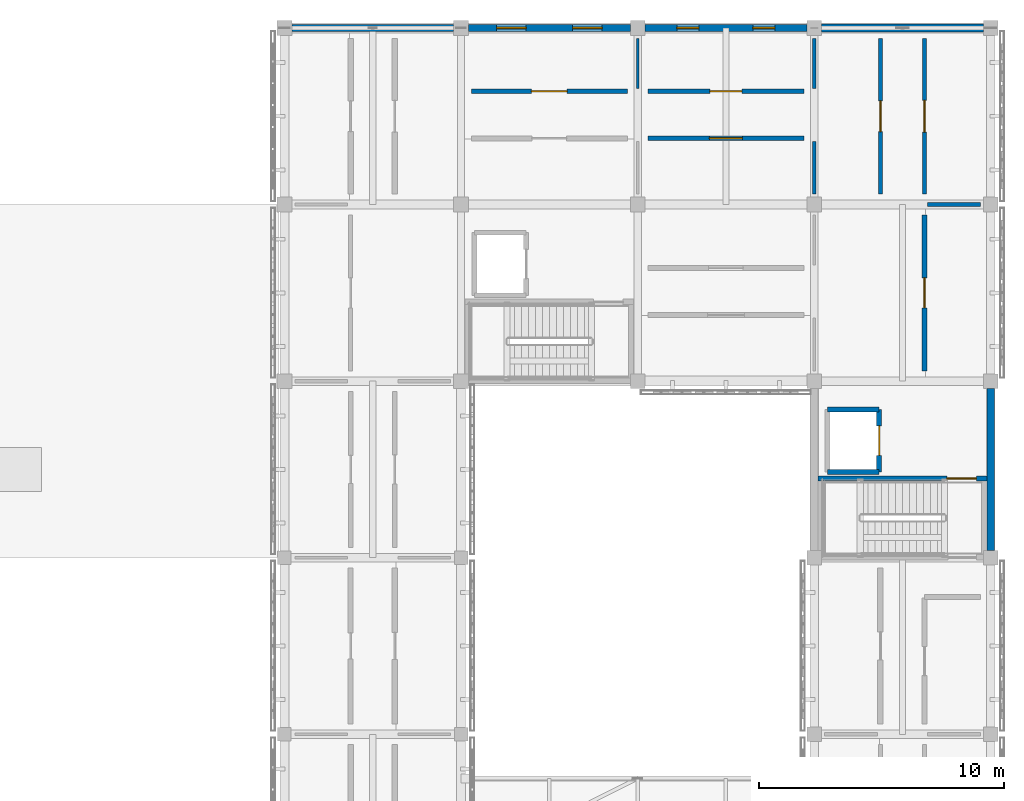
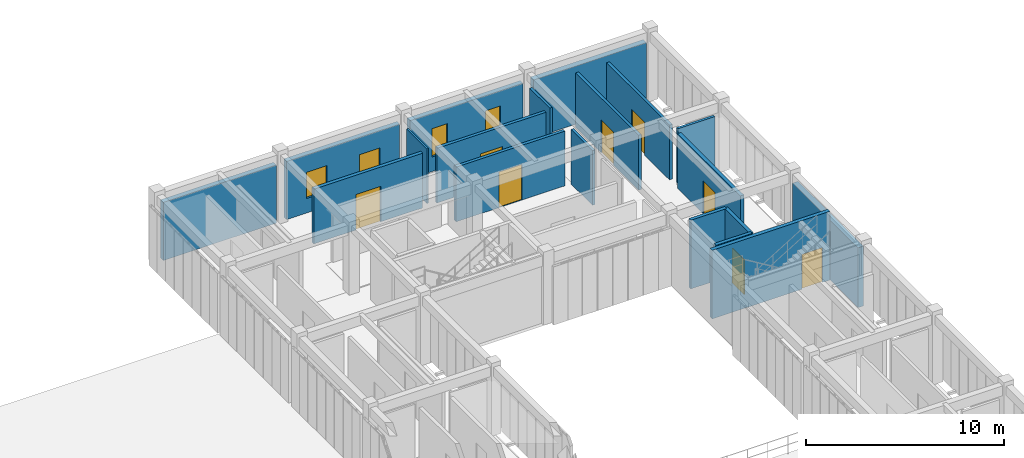
# One storey, part 81 of 91: 19 walls, 8 doors, 4 windows, 12 openings.
"""IFC4 building model written with IfcOpenShell, lengths in metres."""

from ifc_helpers import new_model, si_unit, direction, frame, frame_2d, origin, place, context, subcontext, project, spatial, rectangle, extrude, material, layer, layer_set, type_object, element, fill, save


model = new_model("IFC4")

# Units and contexts
model_context = context("Model", 3, precision=1e-05, world=origin(), true_north=direction((0.0, 1.0)))
body_context = subcontext(model_context, "Body", "Model", "MODEL_VIEW")
ifc_project = project(units=[si_unit("LENGTHUNIT", "METRE"), si_unit("AREAUNIT", "SQUARE_METRE"), si_unit("VOLUMEUNIT", "CUBIC_METRE"), si_unit("PLANEANGLEUNIT", "RADIAN"), si_unit("MASSUNIT", "GRAM", prefix="KILO")], contexts=[model_context])

# Site, building, storey
site_placement = place(None, origin())
site = spatial("IfcSite", under=ifc_project, at=site_placement, CompositionType="ELEMENT")
building_placement = place(site_placement, origin())
building = spatial("IfcBuilding", under=site, at=building_placement, Name="Aldebral Square Health Centre", CompositionType="ELEMENT")
storey_placement = place(building_placement, frame((0.0, 0.0, 9.0)))
storey = spatial("IfcBuildingStorey", under=building, at=storey_placement, Name="L02", CompositionType="ELEMENT", Elevation=9.0)

# Wall
ifc_material_1 = material(Name="Ochre mineral-rendered concrete C35/45 court wall", Category="concrete")
ifc_layer_1 = layer(ifc_material_1, 0.280029296875, Name="Ochre mineral-rendered concrete C35/45 court wall", Category="concrete")
ifc_layer_set_1 = layer_set([ifc_layer_1], Name="Ochre mineral-rendered concrete C35/45 court wall")
wall_type_1 = type_object("IfcWallType", Name="EW-OCH-280", PredefinedType="STANDARD", material=ifc_layer_set_1)
wall_1_placement = place(storey_placement, frame((143.699951171875, 115.199951171875, 0.0), z_axis=(0.0, 0.0, 1.0), x_axis=(-1.0, 0.0, 0.0)))
element("IfcWall", 1, at=wall_1_placement, inside=storey, type_object=wall_type_1, Name="L02 V5 exterior wall L02-V5-19-15-N", PredefinedType="STANDARD", context=body_context, shape_type="SweptSolid", body=[
    extrude(rectangle(XDim=6.599853515625, YDim=0.280029296875, at=frame_2d((3.2998046875, 0.0))), origin(), (0.0, 0.0, 1.0), 3.590087890625),
])

# Wall, openings, windows
wall_2_placement = place(storey_placement, frame((150.89990234375, 115.199951171875, 0.0), z_axis=(0.0, 0.0, 1.0), x_axis=(-1.0, 0.0, 0.0)))
wall_2 = element("IfcWall", 2, at=wall_2_placement, inside=storey, type_object=wall_type_1, Name="L02 V5 exterior wall L02-V5-20-15-N", PredefinedType="STANDARD", context=body_context, shape_type="SweptSolid", body=[
    extrude(rectangle(XDim=6.599853515625, YDim=0.280029296875, at=frame_2d((3.2998046875, 0.0))), origin(), (0.0, 0.0, 1.0), 3.590087890625),
])
opening_1_placement = place(wall_2_placement, frame((1.14990234375, 0.0, 0.89990234375)))
opening_1 = element("IfcOpeningElement", 3, at=opening_1_placement, cuts=wall_2, Name="Opening W30", PredefinedType="OPENING", context=body_context, shape_type="SweptSolid", body=[
    extrude(rectangle(XDim=1.199951171875, YDim=1.6201171875, at=frame_2d((0.60009765625, 0.81005859375))), frame((0.0, 0.14990234375, 0.0), z_axis=(0.0, -1.0, 0.0), x_axis=(1.0, 0.0, 0.0)), (0.0, 0.0, 1.0), 0.300048828125),
])
opening_2_placement = place(wall_2_placement, frame((4.25, 0.0, 0.89990234375)))
opening_2 = element("IfcOpeningElement", 4, at=opening_2_placement, cuts=wall_2, Name="Opening W30", PredefinedType="OPENING", context=body_context, shape_type="SweptSolid", body=[
    extrude(rectangle(XDim=1.199951171875, YDim=1.6201171875, at=frame_2d((0.60009765625, 0.81005859375))), frame((0.0, 0.14990234375, 0.0), z_axis=(0.0, -1.0, 0.0), x_axis=(1.0, 0.0, 0.0)), (0.0, 0.0, 1.0), 0.300048828125),
])
ifc_material_2 = material(Name="Thermally broken aluminium and low-E glass", Category="aluminium")
window_type_1 = type_object("IfcWindowType", Name="WIN-W30", PartitioningType="SINGLE_PANEL", PredefinedType="WINDOW", material=ifc_material_2)
window_1_placement = place(opening_1_placement, origin())
window_1 = element("IfcWindow", 5, at=window_1_placement, inside=storey, type_object=window_type_1, Name="L02 clinical window L02-V5-20-15-N.1", OverallHeight=1.6201171875, OverallWidth=1.199951171875, PartitioningType="SINGLE_PANEL", PredefinedType="WINDOW", context=body_context, shape_type="SweptSolid", body=[
    extrude(rectangle(XDim=1.199951171875, YDim=1.6201171875, at=frame_2d((0.60009765625, 0.81005859375))), frame((0.0, 0.030029296875, 0.0), z_axis=(0.0, -1.0, 0.0), x_axis=(1.0, 0.0, 0.0)), (0.0, 0.0, 1.0), 0.06005859375),
])
fill(opening_1, window_1)
window_2_placement = place(opening_2_placement, origin())
window_2 = element("IfcWindow", 6, at=window_2_placement, inside=storey, type_object=window_type_1, Name="L02 clinical window L02-V5-20-15-N.2", OverallHeight=1.6201171875, OverallWidth=1.199951171875, PartitioningType="SINGLE_PANEL", PredefinedType="WINDOW", context=body_context, shape_type="SweptSolid", body=[
    extrude(rectangle(XDim=1.199951171875, YDim=1.6201171875, at=frame_2d((0.60009765625, 0.81005859375))), frame((0.0, 0.030029296875, 0.0), z_axis=(0.0, -1.0, 0.0), x_axis=(1.0, 0.0, 0.0)), (0.0, 0.0, 1.0), 0.06005859375),
])
fill(opening_2, window_2)

wall_3_placement = place(storey_placement, frame((158.10009765625, 115.199951171875, 0.0), z_axis=(0.0, 0.0, 1.0), x_axis=(-1.0, 0.0, 0.0)))
wall_3 = element("IfcWall", 7, at=wall_3_placement, inside=storey, type_object=wall_type_1, Name="L02 V5 exterior wall L02-V5-21-15-N", PredefinedType="STANDARD", context=body_context, shape_type="SweptSolid", body=[
    extrude(rectangle(XDim=6.60009765625, YDim=0.280029296875, at=frame_2d((3.300048828125, 0.0))), origin(), (0.0, 0.0, 1.0), 3.590087890625),
])
opening_3_placement = place(wall_3_placement, frame((1.300048828125, 0.0, 0.89990234375)))
opening_3 = element("IfcOpeningElement", 8, at=opening_3_placement, cuts=wall_3, Name="Opening W37", PredefinedType="OPENING", context=body_context, shape_type="SweptSolid", body=[
    extrude(rectangle(XDim=0.89990234375, YDim=1.75, at=frame_2d((0.449951171875, 0.875))), frame((0.0, 0.14990234375, 0.0), z_axis=(0.0, -1.0, 0.0), x_axis=(1.0, 0.0, 0.0)), (0.0, 0.0, 1.0), 0.300048828125),
])
opening_4_placement = place(wall_3_placement, frame((4.39990234375, 0.0, 0.89990234375)))
opening_4 = element("IfcOpeningElement", 9, at=opening_4_placement, cuts=wall_3, Name="Opening W37", PredefinedType="OPENING", context=body_context, shape_type="SweptSolid", body=[
    extrude(rectangle(XDim=0.89990234375, YDim=1.75, at=frame_2d((0.449951171875, 0.875))), frame((0.0, 0.14990234375, 0.0), z_axis=(0.0, -1.0, 0.0), x_axis=(1.0, 0.0, 0.0)), (0.0, 0.0, 1.0), 0.300048828125),
])
window_type_2 = type_object("IfcWindowType", Name="WIN-W37", PartitioningType="SINGLE_PANEL", PredefinedType="WINDOW", material=ifc_material_2)
window_3_placement = place(opening_3_placement, origin())
window_3 = element("IfcWindow", 10, at=window_3_placement, inside=storey, type_object=window_type_2, Name="L02 clinical window L02-V5-21-15-N.1", OverallHeight=1.75, OverallWidth=0.89990234375, PartitioningType="SINGLE_PANEL", PredefinedType="WINDOW", context=body_context, shape_type="SweptSolid", body=[
    extrude(rectangle(XDim=0.89990234375, YDim=1.75, at=frame_2d((0.449951171875, 0.875))), frame((0.0, 0.030029296875, 0.0), z_axis=(0.0, -1.0, 0.0), x_axis=(1.0, 0.0, 0.0)), (0.0, 0.0, 1.0), 0.06005859375),
])
fill(opening_3, window_3)
window_4_placement = place(opening_4_placement, origin())
window_4 = element("IfcWindow", 11, at=window_4_placement, inside=storey, type_object=window_type_2, Name="L02 clinical window L02-V5-21-15-N.2", OverallHeight=1.75, OverallWidth=0.89990234375, PartitioningType="SINGLE_PANEL", PredefinedType="WINDOW", context=body_context, shape_type="SweptSolid", body=[
    extrude(rectangle(XDim=0.89990234375, YDim=1.75, at=frame_2d((0.449951171875, 0.875))), frame((0.0, 0.030029296875, 0.0), z_axis=(0.0, -1.0, 0.0), x_axis=(1.0, 0.0, 0.0)), (0.0, 0.0, 1.0), 0.06005859375),
])
fill(opening_4, window_4)

# Walls
ifc_material_3 = material(Name="Precast concrete C40/50 insulated panel", Category="concrete")
ifc_layer_2 = layer(ifc_material_3, 0.320068359375, Name="Precast concrete C40/50 insulated panel", Category="concrete")
ifc_layer_set_2 = layer_set([ifc_layer_2], Name="Precast concrete C40/50 insulated panel")
wall_type_2 = type_object("IfcWallType", Name="EW-PRE-320", PredefinedType="STANDARD", material=ifc_layer_set_2)
wall_4_placement = place(storey_placement, frame((165.60009765625, 93.89990234375, 0.0), z_axis=(0.0, 0.0, 1.0), x_axis=(0.0, 1.0, 0.0)))
element("IfcWall", 12, at=wall_4_placement, inside=storey, type_object=wall_type_2, Name="L02 V5 exterior wall L02-V5-22-13-E", PredefinedType="STANDARD", context=body_context, shape_type="SweptSolid", body=[
    extrude(rectangle(XDim=6.60009765625, YDim=0.320068359375, at=frame_2d((3.300048828125, 0.0))), origin(), (0.0, 0.0, 1.0), 3.68994140625),
])
wall_5_placement = place(storey_placement, frame((165.300048828125, 115.199951171875, 0.0), z_axis=(0.0, 0.0, 1.0), x_axis=(-1.0, 0.0, 0.0)))
element("IfcWall", 13, at=wall_5_placement, inside=storey, type_object=wall_type_2, Name="L02 V5 exterior wall L02-V5-22-15-N", PredefinedType="STANDARD", context=body_context, shape_type="SweptSolid", body=[
    extrude(rectangle(XDim=6.60009765625, YDim=0.320068359375, at=frame_2d((3.300048828125, 0.0))), origin(), (0.0, 0.0, 1.0), 3.590087890625),
])

# Wall, opening, door
ifc_material_4 = material(Name="Concrete C35/45 compartment wall", Category="concrete")
ifc_layer_3 = layer(ifc_material_4, 0.199951171875, Name="Concrete C35/45 compartment wall", Category="concrete")
ifc_layer_set_3 = layer_set([ifc_layer_3], Name="Concrete C35/45 compartment wall")
wall_type_3 = type_object("IfcWallType", Name="IW-CMP-200", PredefinedType="SOLIDWALL", material=ifc_layer_set_3)
wall_6_placement = place(storey_placement, frame((144.419921875, 112.6201171875, 0.0), z_axis=(0.0, 0.0, 1.0), x_axis=(1.0, 0.0, 0.0)))
wall_6 = element("IfcWall", 14, at=wall_6_placement, inside=storey, type_object=wall_type_3, Name="L02 Dermatology Procedure Clinic 21.16N corridor wall", PredefinedType="SOLIDWALL", context=body_context, shape_type="SweptSolid", body=[
    extrude(rectangle(XDim=6.360107421875, YDim=0.199951171875, at=frame_2d((3.18017578125, 0.0))), origin(), (0.0, 0.0, 1.0), 3.3798828125),
])
opening_5_placement = place(wall_6_placement, frame((2.449951171875, 0.0, 0.0)))
opening_5 = element("IfcOpeningElement", 15, at=opening_5_placement, cuts=wall_6, Name="Opening D-0491", PredefinedType="OPENING", context=body_context, shape_type="SweptSolid", body=[
    extrude(rectangle(XDim=1.4599609375, YDim=2.18994140625, at=frame_2d((0.72998046875, 1.094970703125))), frame((0.0, 0.10986328125, 0.0), z_axis=(0.0, -1.0, 0.0), x_axis=(1.0, 0.0, 0.0)), (0.0, 0.0, 1.0), 0.219970703125),
])
ifc_material_5 = material(Name="Clinical suite fire door")
door_type_1 = type_object("IfcDoorType", Name="ID-EXD-62", OperationType="NOTDEFINED", PredefinedType="DOOR", material=ifc_material_5)
door_1_placement = place(opening_5_placement, origin())
door_1 = element("IfcDoor", 16, at=door_1_placement, inside=storey, type_object=door_type_1, Name="L02 Dermatology Procedure Clinic 21.16N door", OperationType="SINGLE_SWING_RIGHT", OverallHeight=2.18994140625, OverallWidth=1.4599609375, PredefinedType="DOOR", context=body_context, shape_type="SweptSolid", body=[
    extrude(rectangle(XDim=1.4599609375, YDim=2.18994140625, at=frame_2d((0.72998046875, 1.094970703125))), frame((0.0, 0.02490234375, 0.0), z_axis=(0.0, -1.0, 0.0), x_axis=(1.0, 0.0, 0.0)), (0.0, 0.0, 1.0), 0.050048828125),
])
fill(opening_5, door_1)

ifc_material_6 = material(Name="Fire-rated acoustic gypsum partition")
ifc_layer_4 = layer(ifc_material_6, 0.1650390625, Name="Fire-rated acoustic gypsum partition")
ifc_layer_set_4 = layer_set([ifc_layer_4], Name="Fire-rated acoustic gypsum partition")
wall_type_4 = type_object("IfcWallType", Name="IW-COR-165", PredefinedType="PARTITIONING", material=ifc_layer_set_4)
wall_7_placement = place(storey_placement, frame((161.10009765625, 108.419921875, 0.0), z_axis=(0.0, 0.0, 1.0), x_axis=(0.0, 1.0, 0.0)))
wall_7 = element("IfcWall", 17, at=wall_7_placement, inside=storey, type_object=wall_type_4, Name="L02 Specialist Clinic 23.16W corridor wall", PredefinedType="PARTITIONING", context=body_context, shape_type="SweptSolid", body=[
    extrude(rectangle(XDim=6.360107421875, YDim=0.1650390625, at=frame_2d((3.18017578125, 0.0))), origin(), (0.0, 0.0, 1.0), 3.3798828125),
])
opening_6_placement = place(wall_7_placement, frame((2.550048828125, 0.0, 0.0)))
opening_6 = element("IfcOpeningElement", 18, at=opening_6_placement, cuts=wall_7, Name="Opening D-0507", PredefinedType="OPENING", context=body_context, shape_type="SweptSolid", body=[
    extrude(rectangle(XDim=1.260009765625, YDim=2.0400390625, at=frame_2d((0.6298828125, 1.02001953125))), frame((0.0, 0.092529296875, 0.0), z_axis=(0.0, -1.0, 0.0), x_axis=(1.0, 0.0, 0.0)), (0.0, 0.0, 1.0), 0.18505859375),
])
door_type_2 = type_object("IfcDoorType", Name="ID-EXD-09", OperationType="NOTDEFINED", PredefinedType="DOOR", material=ifc_material_5)
door_2_placement = place(opening_6_placement, origin())
door_2 = element("IfcDoor", 19, at=door_2_placement, inside=storey, type_object=door_type_2, Name="L02 Specialist Clinic 23.16W door", OperationType="SINGLE_SWING_RIGHT", OverallHeight=2.0400390625, OverallWidth=1.260009765625, PredefinedType="DOOR", context=body_context, shape_type="SweptSolid", body=[
    extrude(rectangle(XDim=1.260009765625, YDim=2.0400390625, at=frame_2d((0.6298828125, 1.02001953125))), frame((0.0, 0.02490234375, 0.0), z_axis=(0.0, -1.0, 0.0), x_axis=(1.0, 0.0, 0.0)), (0.0, 0.0, 1.0), 0.050048828125),
])
fill(opening_6, door_2)

wall_8_placement = place(storey_placement, frame((162.89990234375, 108.419921875, 0.0), z_axis=(0.0, 0.0, 1.0), x_axis=(0.0, 1.0, 0.0)))
wall_8 = element("IfcWall", 20, at=wall_8_placement, inside=storey, type_object=wall_type_4, Name="L02 Ophthalmology Exam Suite 23.16E corridor wall", PredefinedType="PARTITIONING", context=body_context, shape_type="SweptSolid", body=[
    extrude(rectangle(XDim=6.360107421875, YDim=0.1650390625, at=frame_2d((3.18017578125, 0.0))), origin(), (0.0, 0.0, 1.0), 3.3798828125),
])
opening_7_placement = place(wall_8_placement, frame((2.530029296875, 0.0, 0.0)))
opening_7 = element("IfcOpeningElement", 21, at=opening_7_placement, cuts=wall_8, Name="Opening D-0508", PredefinedType="OPENING", context=body_context, shape_type="SweptSolid", body=[
    extrude(rectangle(XDim=1.300048828125, YDim=2.0400390625, at=frame_2d((0.64990234375, 1.02001953125))), frame((0.0, 0.092529296875, 0.0), z_axis=(0.0, -1.0, 0.0), x_axis=(1.0, 0.0, 0.0)), (0.0, 0.0, 1.0), 0.18505859375),
])
door_type_3 = type_object("IfcDoorType", Name="ID-EXD-10", OperationType="NOTDEFINED", PredefinedType="DOOR", material=ifc_material_5)
door_3_placement = place(opening_7_placement, origin())
door_3 = element("IfcDoor", 22, at=door_3_placement, inside=storey, type_object=door_type_3, Name="L02 Ophthalmology Exam Suite 23.16E door", OperationType="SINGLE_SWING_LEFT", OverallHeight=2.0400390625, OverallWidth=1.300048828125, PredefinedType="DOOR", context=body_context, shape_type="SweptSolid", body=[
    extrude(rectangle(XDim=1.300048828125, YDim=2.0400390625, at=frame_2d((0.64990234375, 1.02001953125))), frame((0.0, 0.02490234375, 0.0), z_axis=(0.0, -1.0, 0.0), x_axis=(1.0, 0.0, 0.0)), (0.0, 0.0, 1.0), 0.050048828125),
])
fill(opening_7, door_3)

ifc_layer_5 = layer(ifc_material_6, 0.179931640625, Name="Fire-rated acoustic gypsum partition")
ifc_layer_set_5 = layer_set([ifc_layer_5], Name="Fire-rated acoustic gypsum partition")
wall_type_5 = type_object("IfcWallType", Name="IW-COR-180", PredefinedType="PARTITIONING", material=ifc_layer_set_5)
wall_9_placement = place(storey_placement, frame((151.6201171875, 110.699951171875, 0.0), z_axis=(0.0, 0.0, 1.0), x_axis=(1.0, 0.0, 0.0)))
wall_9 = element("IfcWall", 23, at=wall_9_placement, inside=storey, type_object=wall_type_5, Name="L02 Ophthalmology Exam Suite 22.16S corridor wall", PredefinedType="PARTITIONING", context=body_context, shape_type="SweptSolid", body=[
    extrude(rectangle(XDim=6.35986328125, YDim=0.179931640625, at=frame_2d((3.179931640625, 0.0))), origin(), (0.0, 0.0, 1.0), 3.3798828125),
])
opening_8_placement = place(wall_9_placement, frame((2.5048828125, 0.0, 0.0)))
opening_8 = element("IfcOpeningElement", 24, at=opening_8_placement, cuts=wall_9, Name="Opening D-0496", PredefinedType="OPENING", context=body_context, shape_type="SweptSolid", body=[
    extrude(rectangle(XDim=1.35009765625, YDim=2.199951171875, at=frame_2d((0.675048828125, 1.10009765625))), frame((0.0, 0.10009765625, 0.0), z_axis=(0.0, -1.0, 0.0), x_axis=(1.0, 0.0, 0.0)), (0.0, 0.0, 1.0), 0.199951171875),
])
ifc_material_7 = material(Name="Lead-lined imaging suite door")
door_type_4 = type_object("IfcDoorType", Name="ID-IM-135", OperationType="NOTDEFINED", PredefinedType="DOOR", material=ifc_material_7)
door_4_placement = place(opening_8_placement, origin())
door_4 = element("IfcDoor", 25, at=door_4_placement, inside=storey, type_object=door_type_4, Name="L02 Ophthalmology Exam Suite 22.16S door", OperationType="SINGLE_SWING_LEFT", OverallHeight=2.199951171875, OverallWidth=1.35009765625, PredefinedType="DOOR", context=body_context, shape_type="SweptSolid", body=[
    extrude(rectangle(XDim=1.35009765625, YDim=2.199951171875, at=frame_2d((0.675048828125, 1.10009765625))), frame((0.0, 0.02490234375, 0.0), z_axis=(0.0, -1.0, 0.0), x_axis=(1.0, 0.0, 0.0)), (0.0, 0.0, 1.0), 0.050048828125),
])
fill(opening_8, door_4)

wall_10_placement = place(storey_placement, frame((151.6201171875, 112.6201171875, 0.0), z_axis=(0.0, 0.0, 1.0), x_axis=(1.0, 0.0, 0.0)))
wall_10 = element("IfcWall", 26, at=wall_10_placement, inside=storey, type_object=wall_type_5, Name="L02 Dermatology Procedure Clinic 22.16N corridor wall", PredefinedType="PARTITIONING", context=body_context, shape_type="SweptSolid", body=[
    extrude(rectangle(XDim=6.35986328125, YDim=0.179931640625, at=frame_2d((3.179931640625, 0.0))), origin(), (0.0, 0.0, 1.0), 3.3798828125),
])
opening_9_placement = place(wall_10_placement, frame((2.530029296875, 0.0, 0.0)))
opening_9 = element("IfcOpeningElement", 27, at=opening_9_placement, cuts=wall_10, Name="Opening D-0497", PredefinedType="OPENING", context=body_context, shape_type="SweptSolid", body=[
    extrude(rectangle(XDim=1.300048828125, YDim=2.14990234375, at=frame_2d((0.64990234375, 1.074951171875))), frame((0.0, 0.10009765625, 0.0), z_axis=(0.0, -1.0, 0.0), x_axis=(1.0, 0.0, 0.0)), (0.0, 0.0, 1.0), 0.199951171875),
])
ifc_material_8 = material(Name="Radiography shielded fire door")
door_type_5 = type_object("IfcDoorType", Name="ID-IM-130", OperationType="NOTDEFINED", PredefinedType="DOOR", material=ifc_material_8)
door_5_placement = place(opening_9_placement, origin())
door_5 = element("IfcDoor", 28, at=door_5_placement, inside=storey, type_object=door_type_5, Name="L02 Dermatology Procedure Clinic 22.16N door", OperationType="SINGLE_SWING_RIGHT", OverallHeight=2.14990234375, OverallWidth=1.300048828125, PredefinedType="DOOR", context=body_context, shape_type="SweptSolid", body=[
    extrude(rectangle(XDim=1.300048828125, YDim=2.14990234375, at=frame_2d((0.64990234375, 1.074951171875))), frame((0.0, 0.02490234375, 0.0), z_axis=(0.0, -1.0, 0.0), x_axis=(1.0, 0.0, 0.0)), (0.0, 0.0, 1.0), 0.050048828125),
])
fill(opening_9, door_5)

ifc_material_9 = material(Name="Concrete C40/50", Category="concrete")
ifc_layer_6 = layer(ifc_material_9, 0.219970703125, Name="Concrete C40/50", Category="concrete")
ifc_layer_set_6 = layer_set([ifc_layer_6], Name="Concrete C40/50")
wall_type_6 = type_object("IfcWallType", Name="IW-CORE-280", PredefinedType="SHEAR", material=ifc_layer_set_6)
wall_11_placement = place(storey_placement, frame((158.56005859375, 96.830078125, 0.0), z_axis=(0.0, 0.0, 1.0), x_axis=(1.0, 0.0, 0.0)))
wall_11 = element("IfcWall", 29, at=wall_11_placement, inside=storey, type_object=wall_type_6, Name="L02 WC-C3 shaft wall N", PredefinedType="SHEAR", context=body_context, shape_type="SweptSolid", body=[
    extrude(rectangle(XDim=6.8798828125, YDim=0.219970703125, at=frame_2d((3.43994140625, 0.0))), origin(), (0.0, 0.0, 1.0), 4.239990234375),
])
opening_10_placement = place(wall_11_placement, frame((5.25, 0.0, 0.0)))
opening_10 = element("IfcOpeningElement", 30, at=opening_10_placement, cuts=wall_11, Name="Opening D-0036", PredefinedType="OPENING", context=body_context, shape_type="SweptSolid", body=[
    extrude(rectangle(XDim=1.199951171875, YDim=2.14990234375, at=frame_2d((0.60009765625, 1.074951171875))), frame((0.0, 0.1201171875, 0.0), z_axis=(0.0, -1.0, 0.0), x_axis=(1.0, 0.0, 0.0)), (0.0, 0.0, 1.0), 0.239990234375),
])
ifc_material_10 = material(Name="Fire-rated steel stair door", Category="steel")
door_type_6 = type_object("IfcDoorType", Name="ID-ST-120", OperationType="NOTDEFINED", PredefinedType="DOOR", material=ifc_material_10)
door_6_placement = place(opening_10_placement, origin())
door_6 = element("IfcDoor", 31, at=door_6_placement, inside=storey, type_object=door_type_6, Name="L02 ST-03 fire door", OperationType="SINGLE_SWING_RIGHT", OverallHeight=2.14990234375, OverallWidth=1.199951171875, PredefinedType="DOOR", context=body_context, shape_type="SweptSolid", body=[
    extrude(rectangle(XDim=1.199951171875, YDim=2.14990234375, at=frame_2d((0.60009765625, 1.074951171875))), frame((0.0, 0.02490234375, 0.0), z_axis=(0.0, -1.0, 0.0), x_axis=(1.0, 0.0, 0.0)), (0.0, 0.0, 1.0), 0.050048828125),
])
fill(opening_10, door_6)

# Walls
ifc_layer_7 = layer(ifc_material_9, 0.199951171875, Name="Concrete C40/50", Category="concrete")
ifc_layer_set_7 = layer_set([ifc_layer_7], Name="Concrete C40/50")
wall_type_7 = type_object("IfcWallType", Name="IW-LFT-250", PredefinedType="SHEAR", material=ifc_layer_set_7)
for number, where, z_axis, x_axis, name in (
    (32, (158.949951171875, 97.10009765625, 0.0), (0.0, 0.0, 1.0), (1.0, 0.0, 0.0), "L02 LF-03 shaft wall S"),
    (33, (158.949951171875, 99.64990234375, 0.0), (0.0, 0.0, 1.0), (1.0, 0.0, 0.0), "L02 LF-03 shaft wall N"),
):
    element("IfcWall", number, at=place(storey_placement, frame(where, z_axis=z_axis, x_axis=x_axis)), inside=storey, type_object=wall_type_7, Name=name, PredefinedType="SHEAR", context=body_context, shape_type="SweptSolid", body=[
        extrude(rectangle(XDim=2.10009765625, YDim=0.199951171875, at=frame_2d((1.050048828125, 0.0))), origin(), (0.0, 0.0, 1.0), 4.239990234375),
    ])

# Wall, opening, door
wall_12_placement = place(storey_placement, frame((161.050048828125, 97.10009765625, 0.0), z_axis=(0.0, 0.0, 1.0), x_axis=(0.0, 1.0, 0.0)))
wall_12 = element("IfcWall", 34, at=wall_12_placement, inside=storey, type_object=wall_type_7, Name="L02 LF-03 landing wall", PredefinedType="SHEAR", context=body_context, shape_type="SweptSolid", body=[
    extrude(rectangle(XDim=2.5498046875, YDim=0.199951171875, at=frame_2d((1.27490234375, 0.0))), origin(), (0.0, 0.0, 1.0), 4.239990234375),
])
opening_11_placement = place(wall_12_placement, frame((0.675048828125, 0.0, 0.0)))
opening_11 = element("IfcOpeningElement", 35, at=opening_11_placement, cuts=wall_12, Name="Opening D-0038", PredefinedType="OPENING", context=body_context, shape_type="SweptSolid", body=[
    extrude(rectangle(XDim=1.199951171875, YDim=2.14990234375, at=frame_2d((0.60009765625, 1.074951171875))), frame((0.0, 0.10986328125, 0.0), z_axis=(0.0, -1.0, 0.0), x_axis=(1.0, 0.0, 0.0)), (0.0, 0.0, 1.0), 0.219970703125),
])
ifc_material_11 = material(Name="Stainless steel passenger lift landing door", Category="steel")
door_type_7 = type_object("IfcDoorType", Name="ID-LD-120", OperationType="SLIDING_TO_LEFT", PredefinedType="DOOR", material=ifc_material_11)
door_7_placement = place(opening_11_placement, origin())
door_7 = element("IfcDoor", 36, at=door_7_placement, inside=storey, type_object=door_type_7, Name="L02 LF-03 sliding landing door", OperationType="SLIDING_TO_LEFT", OverallHeight=2.14990234375, OverallWidth=1.199951171875, PredefinedType="DOOR", context=body_context, shape_type="SweptSolid", body=[
    extrude(rectangle(XDim=1.199951171875, YDim=2.14990234375, at=frame_2d((0.60009765625, 1.074951171875))), frame((0.0, 0.02490234375, 0.0), z_axis=(0.0, -1.0, 0.0), x_axis=(1.0, 0.0, 0.0)), (0.0, 0.0, 1.0), 0.050048828125),
])
fill(opening_11, door_7)

ifc_material_12 = material(Name="Moisture-resistant sanitary chase wall")
ifc_layer_8 = layer(ifc_material_12, 0.2099609375, Name="Moisture-resistant sanitary chase wall")
ifc_layer_set_8 = layer_set([ifc_layer_8], Name="Moisture-resistant sanitary chase wall")
wall_type_8 = type_object("IfcWallType", Name="IW-PLB-210", PredefinedType="PLUMBINGWALL", material=ifc_layer_set_8)
wall_13_placement = place(storey_placement, frame((162.89990234375, 101.219970703125, 0.0), z_axis=(0.0, 0.0, 1.0), x_axis=(0.0, 1.0, 0.0)))
wall_13 = element("IfcWall", 37, at=wall_13_placement, inside=storey, type_object=wall_type_8, Name="L02 Accessible WC 23.15E corridor wall", PredefinedType="PLUMBINGWALL", context=body_context, shape_type="SweptSolid", body=[
    extrude(rectangle(XDim=6.360107421875, YDim=0.2099609375, at=frame_2d((3.18017578125, 0.0))), origin(), (0.0, 0.0, 1.0), 3.3798828125),
])
opening_12_placement = place(wall_13_placement, frame((2.570068359375, 0.0, 0.0)))
opening_12 = element("IfcOpeningElement", 38, at=opening_12_placement, cuts=wall_13, Name="Opening D-0506", PredefinedType="OPENING", context=body_context, shape_type="SweptSolid", body=[
    extrude(rectangle(XDim=1.219970703125, YDim=2.0400390625, at=frame_2d((0.60986328125, 1.02001953125))), frame((0.0, 0.114990234375, 0.0), z_axis=(0.0, -1.0, 0.0), x_axis=(1.0, 0.0, 0.0)), (0.0, 0.0, 1.0), 0.22998046875),
])
door_type_8 = type_object("IfcDoorType", Name="ID-EXD-08", OperationType="NOTDEFINED", PredefinedType="DOOR", material=ifc_material_5)
door_8_placement = place(opening_12_placement, origin())
door_8 = element("IfcDoor", 39, at=door_8_placement, inside=storey, type_object=door_type_8, Name="L02 Accessible WC 23.15E door", OperationType="SINGLE_SWING_LEFT", OverallHeight=2.0400390625, OverallWidth=1.219970703125, PredefinedType="DOOR", context=body_context, shape_type="SweptSolid", body=[
    extrude(rectangle(XDim=1.219970703125, YDim=2.0400390625, at=frame_2d((0.60986328125, 1.02001953125))), frame((0.0, 0.02490234375, 0.0), z_axis=(0.0, -1.0, 0.0), x_axis=(1.0, 0.0, 0.0)), (0.0, 0.0, 1.0), 0.050048828125),
])
fill(opening_12, door_8)

# Walls
ifc_material_13 = material(Name="Lightweight clinical partition")
ifc_layer_9 = layer(ifc_material_13, 0.10498046875, Name="Lightweight clinical partition")
ifc_layer_set_9 = layer_set([ifc_layer_9], Name="Lightweight clinical partition")
wall_type_9 = type_object("IfcWallType", Name="IW-PRT-105", PredefinedType="PARTITIONING", material=ifc_layer_set_9)
wall_14_placement = place(storey_placement, frame((151.199951171875, 112.739990234375, 0.0), z_axis=(0.0, 0.0, 1.0), x_axis=(0.0, 1.0, 0.0)))
element("IfcWall", 40, at=wall_14_placement, inside=storey, type_object=wall_type_9, Name="L02 Dermatology Procedure Clinic 21.16N demising partition", PredefinedType="PARTITIONING", context=body_context, shape_type="SweptSolid", body=[
    extrude(rectangle(XDim=2.0400390625, YDim=0.10498046875, at=frame_2d((1.02001953125, 0.0))), origin(), (0.0, 0.0, 1.0), 3.3798828125),
])
ifc_material_14 = material(Name="Acoustic clinical gypsum partition")
ifc_layer_10 = layer(ifc_material_14, 0.14990234375, Name="Acoustic clinical gypsum partition")
ifc_layer_set_10 = layer_set([ifc_layer_10], Name="Acoustic clinical gypsum partition")
wall_type_10 = type_object("IfcWallType", Name="IW-PRT-150", PredefinedType="PARTITIONING", material=ifc_layer_set_10)
wall_15_placement = place(storey_placement, frame((158.39990234375, 108.419921875, 0.0), z_axis=(0.0, 0.0, 1.0), x_axis=(0.0, 1.0, 0.0)))
element("IfcWall", 41, at=wall_15_placement, inside=storey, type_object=wall_type_10, Name="L02 Ophthalmology Exam Suite 22.16S demising partition", PredefinedType="PARTITIONING", context=body_context, shape_type="SweptSolid", body=[
    extrude(rectangle(XDim=2.16015625, YDim=0.14990234375, at=frame_2d((1.080078125, 0.0))), origin(), (0.0, 0.0, 1.0), 3.3798828125),
])
wall_16_placement = place(storey_placement, frame((158.39990234375, 112.739990234375, 0.0), z_axis=(0.0, 0.0, 1.0), x_axis=(0.0, 1.0, 0.0)))
element("IfcWall", 42, at=wall_16_placement, inside=storey, type_object=wall_type_10, Name="L02 Dermatology Procedure Clinic 22.16N demising partition", PredefinedType="PARTITIONING", context=body_context, shape_type="SweptSolid", body=[
    extrude(rectangle(XDim=2.0400390625, YDim=0.14990234375, at=frame_2d((1.02001953125, 0.0))), origin(), (0.0, 0.0, 1.0), 3.3798828125),
])
wall_17_placement = place(storey_placement, frame((163.02001953125, 108.0, 0.0), z_axis=(0.0, 0.0, 1.0), x_axis=(1.0, 0.0, 0.0)))
element("IfcWall", 43, at=wall_17_placement, inside=storey, type_object=wall_type_10, Name="L02 Accessible WC 23.15E demising partition", PredefinedType="PARTITIONING", context=body_context, shape_type="SweptSolid", body=[
    extrude(rectangle(XDim=2.159912109375, YDim=0.14990234375, at=frame_2d((1.080078125, 0.0))), origin(), (0.0, 0.0, 1.0), 3.3798828125),
])

save(model, "model.ifc")
